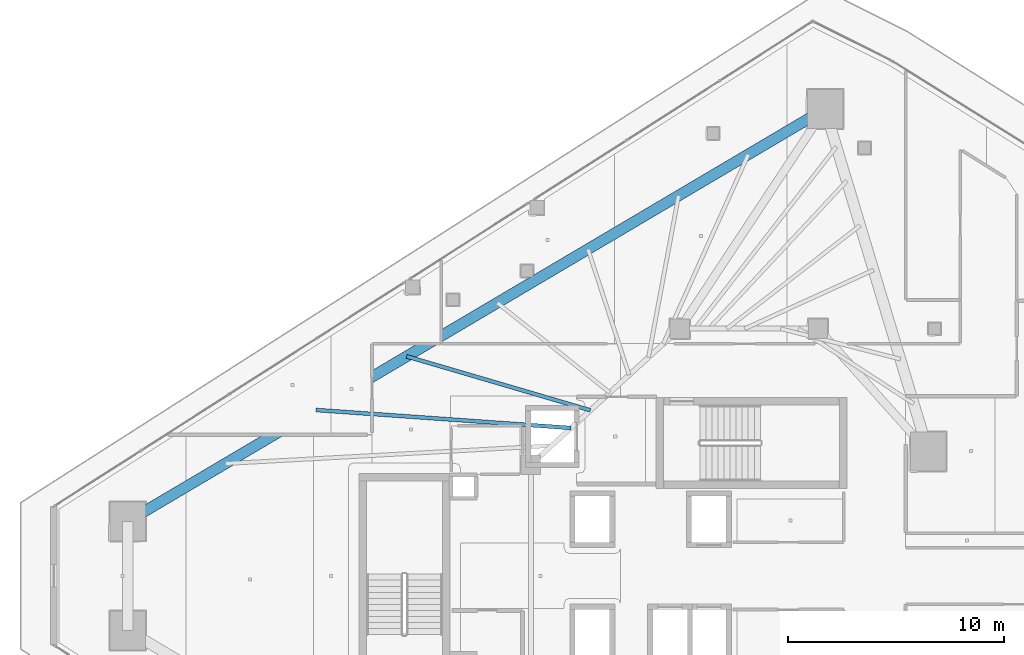
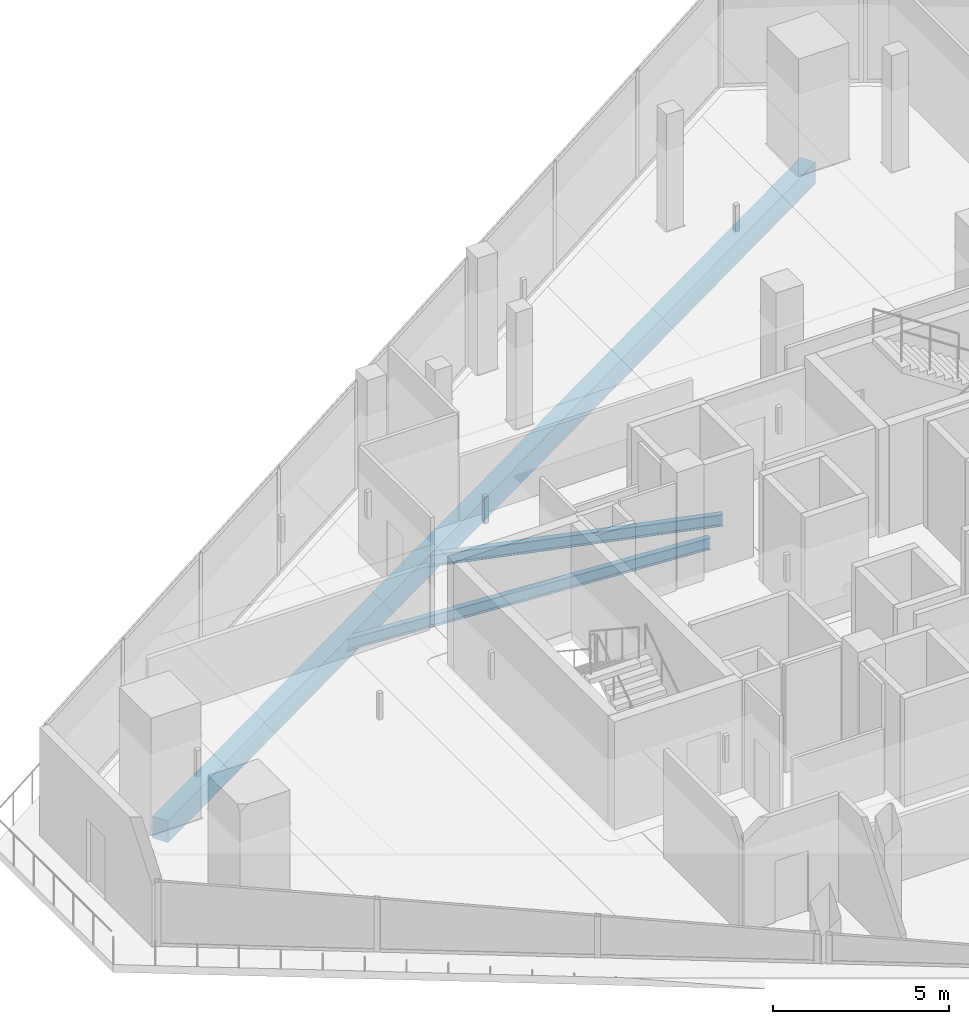
# One storey, part 16 of 34: 3 beams.
"""IFC4 building model written with IfcOpenShell, lengths in metres."""

from ifc_helpers import new_model, si_unit, direction, frame, origin, origin_2d, place, context, subcontext, project, spatial, rectangle, i_section, extrude, material, material_profile, profile_set, type_object, element, save


model = new_model("IFC4")

# Units and contexts
model_context = context("Model", 3, precision=1e-05, world=origin(), true_north=direction((0.0, 1.0)))
body_context = subcontext(model_context, "Body", "Model", "MODEL_VIEW")
ifc_project = project(units=[si_unit("LENGTHUNIT", "METRE"), si_unit("AREAUNIT", "SQUARE_METRE"), si_unit("VOLUMEUNIT", "CUBIC_METRE"), si_unit("PLANEANGLEUNIT", "RADIAN"), si_unit("MASSUNIT", "GRAM", prefix="KILO")], contexts=[model_context])

# Site, building, storey
site_placement = place(None, origin())
site = spatial("IfcSite", under=ifc_project, at=site_placement, CompositionType="ELEMENT")
building_placement = place(site_placement, origin())
building = spatial("IfcBuilding", under=site, at=building_placement, Name="Qorvath Tower", CompositionType="ELEMENT")
storey_placement = place(building_placement, frame((0.0, 0.0, 245.550048828125)))
storey = spatial("IfcBuildingStorey", under=building, at=storey_placement, Name="L57", CompositionType="ELEMENT", Elevation=245.550048828125)

# Beams
ifc_material_1 = material(Name="Steel ASTM A992 Grade 50", Category="steel")
ifc_material_profile_1 = material_profile(ifc_material_1, i_section(OverallWidth=0.177978515625, OverallDepth=0.406005859375, WebThickness=0.0078125, FlangeThickness=0.0126953125, FilletRadius=0.010986328125, at=origin_2d()), Name="W16x40")
ifc_profile_set_1 = profile_set([ifc_material_profile_1], Name="Steel ASTM A992 Grade 50")
beam_type_1 = type_object("IfcBeamType", Name="BM-FJ3", PredefinedType="JOIST", material=ifc_profile_set_1)
beam_1_placement = place(storey_placement, frame((-28.636962890625, 6.85107421875, -0.47314453125), z_axis=(-0.997520476731, 0.070376832146, 0.0), x_axis=(-0.070376832146, -0.997520476731, 0.0)))
element("IfcBeam", 1, at=beam_1_placement, inside=storey, type_object=beam_type_1, Name="Composite Floor Joist NW2 L57", PredefinedType="JOIST", context=body_context, shape_type="SweptSolid", body=[
    extrude(i_section(OverallWidth=0.177978515625, OverallDepth=0.406005859375, WebThickness=0.0078125, FlangeThickness=0.0126953125, FilletRadius=0.010986328125, at=origin_2d()), origin(), (0.0, 0.0, 1.0), 11.84326171875),
])
beam_2_placement = place(storey_placement, frame((-27.739990234375, 7.669921875, -0.47314453125), z_axis=(-0.959544992264, 0.281555337049, 0.0), x_axis=(-0.281555337049, -0.959544992264, 0.0)))
element("IfcBeam", 2, at=beam_2_placement, inside=storey, type_object=beam_type_1, Name="Composite Floor Joist NW3 L57", PredefinedType="JOIST", context=body_context, shape_type="SweptSolid", body=[
    extrude(i_section(OverallWidth=0.177978515625, OverallDepth=0.406005859375, WebThickness=0.0078125, FlangeThickness=0.0126953125, FilletRadius=0.010986328125, at=origin_2d()), origin(), (0.0, 0.0, 1.0), 8.87060546875),
])
ifc_material_2 = material(Name="Concrete C45/55", Category="concrete")
ifc_material_profile_2 = material_profile(ifc_material_2, rectangle(XDim=0.5, YDim=0.75, at=origin_2d()), Name="RCB 750x500")
ifc_profile_set_2 = profile_set([ifc_material_profile_2], Name="Concrete C45/55")
beam_type_2 = type_object("IfcBeamType", Name="BM-RCB3", PredefinedType="SPANDREL", material=ifc_profile_set_2)
beam_3_placement = place(storey_placement, frame((-16.87158203125, 21.627197265625, -0.64501953125), z_axis=(-0.860776759786, -0.50898268125, 0.0), x_axis=(0.50898268125, -0.860776759786, 0.0)))
element("IfcBeam", 3, at=beam_3_placement, inside=storey, type_object=beam_type_2, Name="Perimeter Loggia Frame Beam MC6-MC1 L57", PredefinedType="SPANDREL", context=body_context, shape_type="SweptSolid", body=[
    extrude(rectangle(XDim=0.5, YDim=0.75, at=origin_2d()), origin(), (0.0, 0.0, 1.0), 37.524658203125),
])

save(model, "model.ifc")
